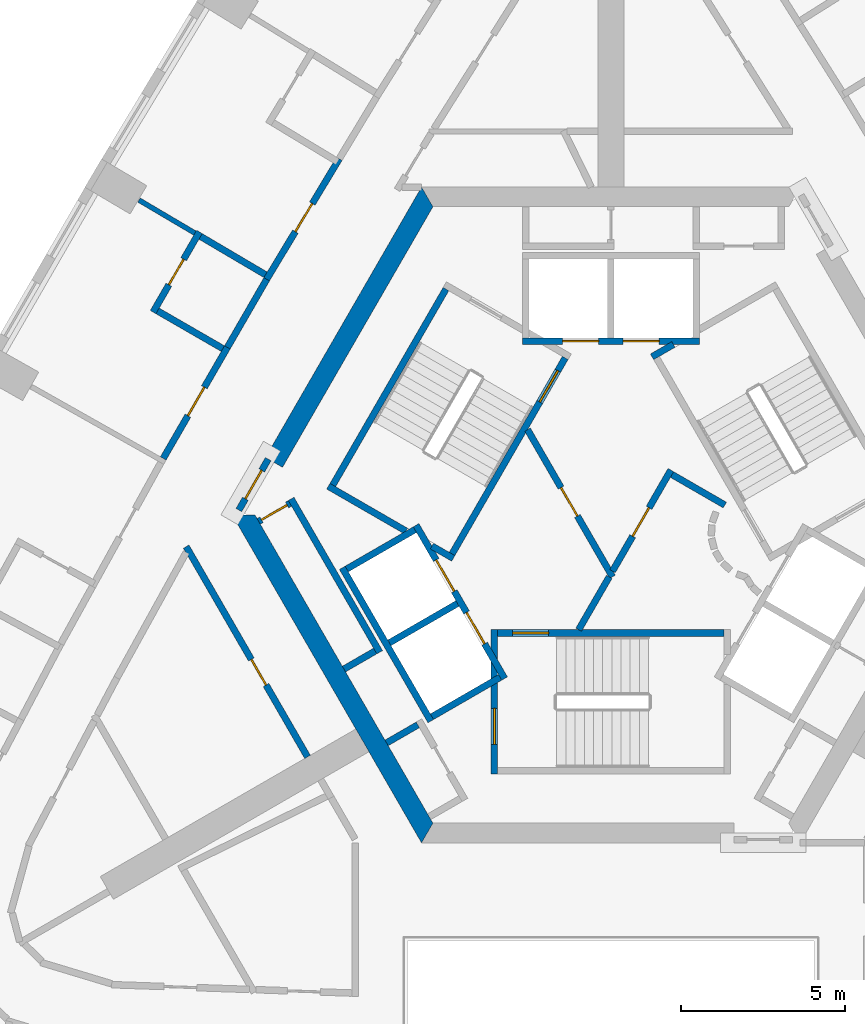
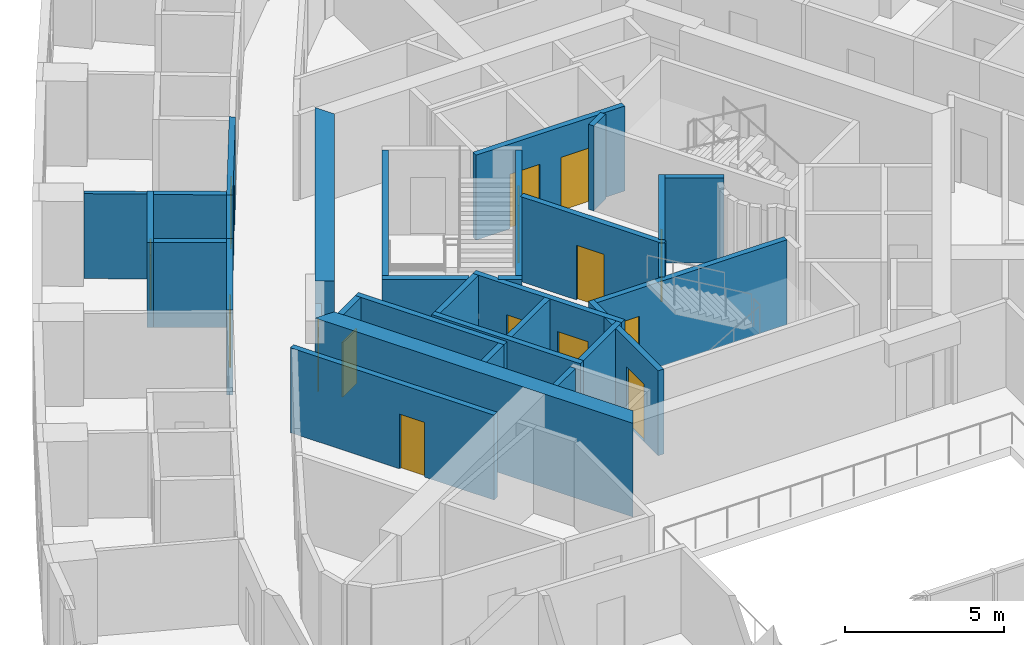
# One storey, part 5 of 14: 32 walls, 15 doors, 15 openings.
"""IFC4 building model written with IfcOpenShell, lengths in metres."""

from ifc_helpers import new_model, si_unit, direction, frame, frame_2d, origin, place, context, subcontext, project, spatial, polyline, rectangle, outline, extrude, material, layer, layer_set, type_object, element, fill, save


model = new_model("IFC4")

# Units and contexts
model_context = context("Model", 3, precision=1e-05, world=origin(), true_north=direction((0.0, 1.0)))
body_context = subcontext(model_context, "Body", "Model", "MODEL_VIEW")
ifc_project = project(units=[si_unit("LENGTHUNIT", "METRE"), si_unit("AREAUNIT", "SQUARE_METRE"), si_unit("VOLUMEUNIT", "CUBIC_METRE"), si_unit("PLANEANGLEUNIT", "RADIAN"), si_unit("MASSUNIT", "GRAM", prefix="KILO")], contexts=[model_context])

# Site, building, storey
site_placement = place(None, origin())
site = spatial("IfcSite", under=ifc_project, at=site_placement, CompositionType="ELEMENT")
building_placement = place(site_placement, origin())
building = spatial("IfcBuilding", under=site, at=building_placement, Name="Entoto Arch Interchange Tower", CompositionType="ELEMENT")
storey_placement = place(building_placement, frame((0.0, 0.0, 252.199951171875)))
storey = spatial("IfcBuildingStorey", under=building, at=storey_placement, Name="L57", CompositionType="ELEMENT", Elevation=252.199951171875)

# Wall, opening, door
ifc_material_1 = material(Name="Reinforced concrete C40/50", Category="concrete")
ifc_layer_1 = layer(ifc_material_1, 0.199951171875)
ifc_layer_set_1 = layer_set([ifc_layer_1], Name="Reinforced concrete C40/50")
wall_type_1 = type_object("IfcWallType", Name="CORE GAP INFILL WALL", PredefinedType="PARTITIONING", material=ifc_layer_set_1)
wall_1_placement = place(storey_placement, frame((-10.448974609375, 4.202880859375, 0.0), z_axis=(0.0, 0.0, 1.0), x_axis=(-0.499914839587, -0.866074565589, 0.0)))
wall_1 = element("IfcWall", 1, at=wall_1_placement, inside=storey, type_object=wall_type_1, Name="wall:L57:gap3", PredefinedType="PARTITIONING", context=body_context, shape_type="SweptSolid", body=[
    extrude(rectangle(XDim=1.794189453125, YDim=0.199951171875, at=frame_2d((0.89697265625, 0.0))), origin(), (0.0, 0.0, 1.0), 2.400146484375),
])
opening_1_placement = place(wall_1_placement, frame((0.39697265625, 0.0, 0.0)))
opening_1 = element("IfcOpeningElement", 2, at=opening_1_placement, cuts=wall_1, Name="Opening L57-D93", PredefinedType="OPENING", context=body_context, shape_type="SweptSolid", body=[
    extrude(rectangle(XDim=1.0, YDim=2.10009765625, at=frame_2d((0.5, 1.050048828125))), frame((0.0, 0.10986328125, 0.0), z_axis=(0.0, -1.0, 0.0), x_axis=(1.0, 0.0, 0.0)), (0.0, 0.0, 1.0), 0.219970703125),
])
ifc_material_2 = material(Name="Fire-rated Steel S235 door and frame", Category="steel")
door_type_1 = type_object("IfcDoorType", Name="DOOR FD-10 1000x2100", OperationType="SINGLE_SWING_LEFT", PredefinedType="DOOR", material=ifc_material_2)
door_1_placement = place(opening_1_placement, origin())
door_1 = element("IfcDoor", 3, at=door_1_placement, inside=storey, type_object=door_type_1, Name="door:L57:gap3", OperationType="SINGLE_SWING_LEFT", OverallHeight=2.10009765625, OverallWidth=1.0, PredefinedType="DOOR", context=body_context, shape_type="SweptSolid", body=[
    extrude(rectangle(XDim=1.0, YDim=2.10009765625, at=frame_2d((0.5, 1.050048828125))), frame((0.0, 0.02490234375, 0.0), z_axis=(0.0, -1.0, 0.0), x_axis=(1.0, 0.0, 0.0)), (0.0, 0.0, 1.0), 0.050048828125),
])
fill(opening_1, door_1)

# Walls
ifc_material_3 = material(Name="Concrete C40/50", Category="concrete")
ifc_layer_2 = layer(ifc_material_3, 0.60009765625)
ifc_layer_set_2 = layer_set([ifc_layer_2], Name="Concrete C40/50")
wall_type_2 = type_object("IfcWallType", Name="Core wall 600 C40/50", PredefinedType="SHEAR", material=ifc_layer_set_2)
wall_2_placement = place(storey_placement, frame((0.0, 0.0, -0.33984375)))
element("IfcWall", 4, at=wall_2_placement, inside=storey, type_object=wall_type_2, Name="Core wall NW L57", PredefinedType="SHEAR", context=body_context, shape_type="SweptSolid", body=[
    extrude(outline(polyline([(-10.534912109375, 4.2529296875), (-10.014892578125, 3.952880859375), (-5.427001953125, 11.89990234375), (-5.77392578125, 12.5), (-10.534912109375, 4.2529296875)])), origin(), (0.0, 0.0, 1.0), 3.599853515625),
])
wall_3_placement = place(storey_placement, frame((0.0, 0.0, -0.33984375)))
element("IfcWall", 5, at=wall_3_placement, inside=storey, type_object=wall_type_2, Name="Core wall SW L57", PredefinedType="SHEAR", context=body_context, shape_type="SweptSolid", body=[
    extrude(outline(polyline([(-11.547119140625, 2.5), (-5.77392578125, -7.5), (-5.427001953125, -6.89990234375), (-10.85400390625, 2.5), (-11.547119140625, 2.5)])), origin(), (0.0, 0.0, 1.0), 3.599853515625),
])

# Wall, openings, doors
ifc_layer_3 = layer(ifc_material_3, 0.199951171875)
ifc_layer_set_3 = layer_set([ifc_layer_3], Name="Concrete C40/50")
wall_type_3 = type_object("IfcWallType", Name="LIFT SHAFT WALL 200", PredefinedType="STANDARD", material=ifc_layer_set_3)
wall_4_placement = place(storey_placement, frame((2.699951171875, 7.800048828125, 0.0), z_axis=(0.0, 0.0, 1.0), x_axis=(-1.0, 0.0, 0.0)))
wall_4 = element("IfcWall", 6, at=wall_4_placement, inside=storey, type_object=wall_type_3, Name="Shaft wall N1 front", PredefinedType="STANDARD", context=body_context, shape_type="SweptSolid", body=[
    extrude(rectangle(XDim=5.39990234375, YDim=0.199951171875, at=frame_2d((2.699951171875, 0.0))), origin(), (0.0, 0.0, 1.0), 3.260009765625),
])
opening_2_placement = place(wall_4_placement, frame((1.22509765625, 0.0, 0.0)))
opening_2 = element("IfcOpeningElement", 7, at=opening_2_placement, cuts=wall_4, Name="Opening LD-HR1-L57", PredefinedType="OPENING", context=body_context, shape_type="SweptSolid", body=[
    extrude(rectangle(XDim=1.10009765625, YDim=2.10009765625, at=frame_2d((0.550048828125, 1.050048828125))), frame((0.0, 0.10986328125, 0.0), z_axis=(0.0, -1.0, 0.0), x_axis=(1.0, 0.0, 0.0)), (0.0, 0.0, 1.0), 0.219970703125),
])
opening_3_placement = place(wall_4_placement, frame((3.074951171875, 0.0, 0.0)))
opening_3 = element("IfcOpeningElement", 8, at=opening_3_placement, cuts=wall_4, Name="Opening LD-HR2-L57", PredefinedType="OPENING", context=body_context, shape_type="SweptSolid", body=[
    extrude(rectangle(XDim=1.10009765625, YDim=2.10009765625, at=frame_2d((0.550048828125, 1.050048828125))), frame((0.0, 0.10986328125, 0.0), z_axis=(0.0, -1.0, 0.0), x_axis=(1.0, 0.0, 0.0)), (0.0, 0.0, 1.0), 0.219970703125),
])
ifc_material_4 = material(Name="Stainless steel 1.4301 panels", Category="steel")
door_type_2 = type_object("IfcDoorType", Name="LIFT LANDING DOOR LD1 1100x2100", OperationType="SLIDING_TO_LEFT", PredefinedType="DOOR", material=ifc_material_4)
door_2_placement = place(opening_2_placement, origin())
door_2 = element("IfcDoor", 9, at=door_2_placement, inside=storey, type_object=door_type_2, Name="Lift landing door HR1 L57", OperationType="SLIDING_TO_LEFT", OverallHeight=2.10009765625, OverallWidth=1.10009765625, PredefinedType="DOOR", context=body_context, shape_type="SweptSolid", body=[
    extrude(rectangle(XDim=1.10009765625, YDim=2.10009765625, at=frame_2d((0.550048828125, 1.050048828125))), frame((0.0, 0.02490234375, 0.0), z_axis=(0.0, -1.0, 0.0), x_axis=(1.0, 0.0, 0.0)), (0.0, 0.0, 1.0), 0.050048828125),
])
fill(opening_2, door_2)
door_3_placement = place(opening_3_placement, origin())
door_3 = element("IfcDoor", 10, at=door_3_placement, inside=storey, type_object=door_type_2, Name="Lift landing door HR2 L57", OperationType="SLIDING_TO_LEFT", OverallHeight=2.10009765625, OverallWidth=1.10009765625, PredefinedType="DOOR", context=body_context, shape_type="SweptSolid", body=[
    extrude(rectangle(XDim=1.10009765625, YDim=2.10009765625, at=frame_2d((0.550048828125, 1.050048828125))), frame((0.0, 0.02490234375, 0.0), z_axis=(0.0, -1.0, 0.0), x_axis=(1.0, 0.0, 0.0)), (0.0, 0.0, 1.0), 0.050048828125),
])
fill(opening_3, door_3)

wall_5_placement = place(storey_placement, frame((-5.93994140625, 2.18798828125, 0.0), z_axis=(0.0, 0.0, 1.0), x_axis=(0.500034260056, -0.866005622828, 0.0)))
wall_5 = element("IfcWall", 11, at=wall_5_placement, inside=storey, type_object=wall_type_3, Name="Shaft wall SW1 front", PredefinedType="STANDARD", context=body_context, shape_type="SweptSolid", body=[
    extrude(rectangle(XDim=5.3994140625, YDim=0.199951171875, at=frame_2d((2.69970703125, 0.0))), origin(), (0.0, 0.0, 1.0), 3.260009765625),
])
opening_4_placement = place(wall_5_placement, frame((3.074951171875, 0.0, 0.0)))
opening_4 = element("IfcOpeningElement", 12, at=opening_4_placement, cuts=wall_5, Name="Opening LD-HR4-L57", PredefinedType="OPENING", context=body_context, shape_type="SweptSolid", body=[
    extrude(rectangle(XDim=1.10009765625, YDim=2.10009765625, at=frame_2d((0.550048828125, 1.050048828125))), frame((0.0, 0.10986328125, 0.0), z_axis=(0.0, -1.0, 0.0), x_axis=(1.0, 0.0, 0.0)), (0.0, 0.0, 1.0), 0.219970703125),
])
opening_5_placement = place(wall_5_placement, frame((1.22509765625, 0.0, 0.0)))
opening_5 = element("IfcOpeningElement", 13, at=opening_5_placement, cuts=wall_5, Name="Opening LD-FF2-L57", PredefinedType="OPENING", context=body_context, shape_type="SweptSolid", body=[
    extrude(rectangle(XDim=1.10009765625, YDim=2.10009765625, at=frame_2d((0.550048828125, 1.050048828125))), frame((0.0, 0.10986328125, 0.0), z_axis=(0.0, -1.0, 0.0), x_axis=(1.0, 0.0, 0.0)), (0.0, 0.0, 1.0), 0.219970703125),
])
door_4_placement = place(opening_4_placement, origin())
door_4 = element("IfcDoor", 14, at=door_4_placement, inside=storey, type_object=door_type_2, Name="Lift landing door HR4 L57", OperationType="SLIDING_TO_LEFT", OverallHeight=2.10009765625, OverallWidth=1.10009765625, PredefinedType="DOOR", context=body_context, shape_type="SweptSolid", body=[
    extrude(rectangle(XDim=1.10009765625, YDim=2.10009765625, at=frame_2d((0.550048828125, 1.050048828125))), frame((0.0, 0.02490234375, 0.0), z_axis=(0.0, -1.0, 0.0), x_axis=(1.0, 0.0, 0.0)), (0.0, 0.0, 1.0), 0.050048828125),
])
fill(opening_4, door_4)
door_5_placement = place(opening_5_placement, origin())
door_5 = element("IfcDoor", 15, at=door_5_placement, inside=storey, type_object=door_type_2, Name="Lift landing door FF2 L57", OperationType="SLIDING_TO_LEFT", OverallHeight=2.10009765625, OverallWidth=1.10009765625, PredefinedType="DOOR", context=body_context, shape_type="SweptSolid", body=[
    extrude(rectangle(XDim=1.10009765625, YDim=2.10009765625, at=frame_2d((0.550048828125, 1.050048828125))), frame((0.0, 0.02490234375, 0.0), z_axis=(0.0, -1.0, 0.0), x_axis=(1.0, 0.0, 0.0)), (0.0, 0.0, 1.0), 0.050048828125),
])
fill(opening_5, door_5)

# Walls
wall_6_placement = place(storey_placement, frame((-8.19189453125, 0.887939453125, 0.0), z_axis=(0.0, 0.0, 1.0), x_axis=(0.500034260056, -0.866005622828, 0.0)))
element("IfcWall", 16, at=wall_6_placement, inside=storey, type_object=wall_type_3, Name="Shaft wall SW1 back", PredefinedType="STANDARD", context=body_context, shape_type="SweptSolid", body=[
    extrude(rectangle(XDim=5.3994140625, YDim=0.199951171875, at=frame_2d((2.69970703125, 0.0))), origin(), (0.0, 0.0, 1.0), 3.260009765625),
])
for number, where, z_axis, x_axis, name in (
    (17, (-5.97705078125, 2.052001953125, 0.0), (0.0, 0.0, 1.0), (-0.865973769406, -0.500089422704, 0.0), "Shaft wall SW1 cross 1"),
    (18, (-4.677001953125, -0.199951171875, 0.0), (0.0, 0.0, 1.0), (-0.865973769406, -0.500089422704, 0.0), "Shaft wall SW1 cross 2"),
):
    element("IfcWall", number, at=place(storey_placement, frame(where, z_axis=z_axis, x_axis=x_axis)), inside=storey, type_object=wall_type_3, Name=name, PredefinedType="STANDARD", context=body_context, shape_type="SweptSolid", body=[
        extrude(rectangle(XDim=2.3994140625, YDim=0.199951171875, at=frame_2d((1.19970703125, 0.0))), origin(), (0.0, 0.0, 1.0), 3.260009765625),
    ])
wall_7_placement = place(storey_placement, frame((-3.376953125, -2.451904296875, 0.0), z_axis=(0.0, 0.0, 1.0), x_axis=(-0.865955154139, -0.50012165622, 0.0)))
element("IfcWall", 19, at=wall_7_placement, inside=storey, type_object=wall_type_3, Name="Shaft wall SW1 cross 3", PredefinedType="STANDARD", context=body_context, shape_type="SweptSolid", body=[
    extrude(rectangle(XDim=2.39990234375, YDim=0.199951171875, at=frame_2d((1.199951171875, 0.0))), origin(), (0.0, 0.0, 1.0), 3.260009765625),
])
ifc_material_5 = material(Name="Gypsum board partition on steel studs", Category="steel")
ifc_layer_4 = layer(ifc_material_5, 0.14990234375)
ifc_layer_set_4 = layer_set([ifc_layer_4], Name="Gypsum board partition on steel studs")
wall_type_4 = type_object("IfcWallType", Name="PARTITION 150", PredefinedType="PARTITIONING", material=ifc_layer_set_4)
wall_8_placement = place(storey_placement, frame((-12.68505859375, 11.095947265625, 0.0), z_axis=(0.0, 0.0, 1.0), x_axis=(-0.861157054724, 0.508338988371, 0.0)))
element("IfcWall", 20, at=wall_8_placement, inside=storey, type_object=wall_type_4, Name="wall:L57:p163", PredefinedType="PARTITIONING", context=body_context, shape_type="SweptSolid", body=[
    extrude(rectangle(XDim=1.981201171875, YDim=0.14990234375, at=frame_2d((0.99072265625, 0.0))), origin(), (0.0, 0.0, 1.0), 3.260009765625),
])

# Wall, opening, door
ifc_layer_5 = layer(ifc_material_5, 0.199951171875)
ifc_layer_set_5 = layer_set([ifc_layer_5], Name="Gypsum board partition on steel studs")
wall_type_5 = type_object("IfcWallType", Name="PARTITION 200", PredefinedType="PARTITIONING", material=ifc_layer_set_5)
wall_9_placement = place(storey_placement, frame((-10.498046875, 9.68896484375, 0.0), z_axis=(0.0, 0.0, 1.0), x_axis=(0.516353342298, 0.856375633643, 0.0)))
wall_9 = element("IfcWall", 21, at=wall_9_placement, inside=storey, type_object=wall_type_5, Name="wall:L57:p058", PredefinedType="PARTITIONING", context=body_context, shape_type="SweptSolid", body=[
    extrude(rectangle(XDim=4.2880859375, YDim=0.199951171875, at=frame_2d((2.14404296875, 0.0))), origin(), (0.0, 0.0, 1.0), 3.260009765625),
])
opening_6_placement = place(wall_9_placement, frame((1.694091796875, 0.0, 0.0)))
opening_6 = element("IfcOpeningElement", 22, at=opening_6_placement, cuts=wall_9, Name="Opening L57-D21", PredefinedType="OPENING", context=body_context, shape_type="SweptSolid", body=[
    extrude(rectangle(XDim=1.0, YDim=2.10009765625, at=frame_2d((0.5, 1.050048828125))), frame((0.0, 0.10986328125, 0.0), z_axis=(0.0, -1.0, 0.0), x_axis=(1.0, 0.0, 0.0)), (0.0, 0.0, 1.0), 0.219970703125),
])
door_6_placement = place(opening_6_placement, origin())
door_6 = element("IfcDoor", 23, at=door_6_placement, inside=storey, type_object=door_type_1, Name="door:L57:21", OperationType="SINGLE_SWING_RIGHT", OverallHeight=2.10009765625, OverallWidth=1.0, PredefinedType="DOOR", context=body_context, shape_type="SweptSolid", body=[
    extrude(rectangle(XDim=1.0, YDim=2.10009765625, at=frame_2d((0.5, 1.050048828125))), frame((0.0, 0.02490234375, 0.0), z_axis=(0.0, -1.0, 0.0), x_axis=(1.0, 0.0, 0.0)), (0.0, 0.0, 1.0), 0.050048828125),
])
fill(opening_6, door_6)

wall_10_placement = place(storey_placement, frame((-13.652099609375, 4.22412109375, 0.0), z_axis=(0.0, 0.0, 1.0), x_axis=(0.500221427001, 0.865897525097, 0.0)))
wall_10 = element("IfcWall", 24, at=wall_10_placement, inside=storey, type_object=wall_type_5, Name="wall:L57:p060", PredefinedType="PARTITIONING", context=body_context, shape_type="SweptSolid", body=[
    extrude(rectangle(XDim=3.910400390625, YDim=0.199951171875, at=frame_2d((1.955078125, 0.0))), origin(), (0.0, 0.0, 1.0), 3.260009765625),
])
opening_7_placement = place(wall_10_placement, frame((1.5048828125, 0.0, 0.0)))
opening_7 = element("IfcOpeningElement", 25, at=opening_7_placement, cuts=wall_10, Name="Opening L57-D23", PredefinedType="OPENING", context=body_context, shape_type="SweptSolid", body=[
    extrude(rectangle(XDim=1.0, YDim=2.10009765625, at=frame_2d((0.5, 1.050048828125))), frame((0.0, 0.10986328125, 0.0), z_axis=(0.0, -1.0, 0.0), x_axis=(1.0, 0.0, 0.0)), (0.0, 0.0, 1.0), 0.219970703125),
])
door_7_placement = place(opening_7_placement, origin())
door_7 = element("IfcDoor", 26, at=door_7_placement, inside=storey, type_object=door_type_1, Name="door:L57:23", OperationType="SINGLE_SWING_RIGHT", OverallHeight=2.10009765625, OverallWidth=1.0, PredefinedType="DOOR", context=body_context, shape_type="SweptSolid", body=[
    extrude(rectangle(XDim=1.0, YDim=2.10009765625, at=frame_2d((0.5, 1.050048828125))), frame((0.0, 0.02490234375, 0.0), z_axis=(0.0, -1.0, 0.0), x_axis=(1.0, 0.0, 0.0)), (0.0, 0.0, 1.0), 0.050048828125),
])
fill(opening_7, door_7)

# Wall
wall_11_placement = place(storey_placement, frame((-11.696044921875, 7.610107421875, 0.0), z_axis=(0.0, 0.0, 1.0), x_axis=(0.500089422704, 0.865973769406, 0.0)))
element("IfcWall", 27, at=wall_11_placement, inside=storey, type_object=wall_type_5, Name="wall:L57:p061", PredefinedType="PARTITIONING", context=body_context, shape_type="SweptSolid", body=[
    extrude(rectangle(XDim=2.3994140625, YDim=0.199951171875, at=frame_2d((1.19970703125, 0.0))), origin(), (0.0, 0.0, 1.0), 3.260009765625),
])

# Wall, opening, door
wall_12_placement = place(storey_placement, frame((-10.740966796875, 2.302978515625, 0.0), z_axis=(0.0, 0.0, 1.0), x_axis=(0.866063652425, 0.499933745558, 0.0)))
wall_12 = element("IfcWall", 28, at=wall_12_placement, inside=storey, type_object=wall_type_5, Name="wall:L57:p083", PredefinedType="PARTITIONING", context=body_context, shape_type="SweptSolid", body=[
    extrude(rectangle(XDim=1.100341796875, YDim=0.199951171875, at=frame_2d((0.55029296875, 0.0))), origin(), (0.0, 0.0, 1.0), 3.260009765625),
])
opening_8_placement = place(wall_12_placement, frame((0.10009765625, 0.0, 0.0)))
opening_8 = element("IfcOpeningElement", 29, at=opening_8_placement, cuts=wall_12, Name="Opening L57-D52", PredefinedType="OPENING", context=body_context, shape_type="SweptSolid", body=[
    extrude(rectangle(XDim=0.89990234375, YDim=2.10009765625, at=frame_2d((0.449951171875, 1.050048828125))), frame((0.0, 0.10986328125, 0.0), z_axis=(0.0, -1.0, 0.0), x_axis=(1.0, 0.0, 0.0)), (0.0, 0.0, 1.0), 0.219970703125),
])
ifc_material_6 = material(Name="Timber door leaf in Steel S235 frame", Category="steel")
door_type_3 = type_object("IfcDoorType", Name="DOOR DS-09 900x2100", OperationType="SINGLE_SWING_LEFT", PredefinedType="DOOR", material=ifc_material_6)
door_8_placement = place(opening_8_placement, origin())
door_8 = element("IfcDoor", 30, at=door_8_placement, inside=storey, type_object=door_type_3, Name="door:L57:52", OperationType="SINGLE_SWING_RIGHT", OverallHeight=2.10009765625, OverallWidth=0.89990234375, PredefinedType="DOOR", context=body_context, shape_type="SweptSolid", body=[
    extrude(rectangle(XDim=0.89990234375, YDim=2.10009765625, at=frame_2d((0.449951171875, 1.050048828125))), frame((0.0, 0.02490234375, 0.0), z_axis=(0.0, -1.0, 0.0), x_axis=(1.0, 0.0, 0.0)), (0.0, 0.0, 1.0), 0.050048828125),
])
fill(opening_8, door_8)

# Walls
wall_13_placement = place(storey_placement, frame((-9.7509765625, 2.989990234375, 0.0), z_axis=(0.0, 0.0, 1.0), x_axis=(0.499955951776, -0.866050833545, 0.0)))
element("IfcWall", 31, at=wall_13_placement, inside=storey, type_object=wall_type_5, Name="wall:L57:p084", PredefinedType="PARTITIONING", context=body_context, shape_type="SweptSolid", body=[
    extrude(rectangle(XDim=5.400390625, YDim=0.199951171875, at=frame_2d((2.7001953125, 0.0))), origin(), (0.0, 0.0, 1.0), 3.260009765625),
])
wall_14_placement = place(storey_placement, frame((-7.18798828125, -1.64990234375, 0.0), z_axis=(0.0, 0.0, 1.0), x_axis=(-0.865841558281, -0.500318294642, 0.0)))
element("IfcWall", 32, at=wall_14_placement, inside=storey, type_object=wall_type_5, Name="wall:L57:p085", PredefinedType="PARTITIONING", context=body_context, shape_type="SweptSolid", body=[
    extrude(rectangle(XDim=1.099365234375, YDim=0.199951171875, at=frame_2d((0.5498046875, 0.0))), origin(), (0.0, 0.0, 1.0), 3.260009765625),
])
wall_15_placement = place(storey_placement, frame((-6.841064453125, -4.451904296875, 0.0), z_axis=(0.0, 0.0, 1.0), x_axis=(0.86621513555, 0.499671230855, 0.0)))
element("IfcWall", 33, at=wall_15_placement, inside=storey, type_object=wall_type_5, Name="wall:L57:p086", PredefinedType="PARTITIONING", context=body_context, shape_type="SweptSolid", body=[
    extrude(rectangle(XDim=1.100341796875, YDim=0.199951171875, at=frame_2d((0.55029296875, 0.0))), origin(), (0.0, 0.0, 1.0), 3.260009765625),
])
wall_16_placement = place(storey_placement, frame((-0.98193359375, -1.0, 0.0), z_axis=(0.0, 0.0, 1.0), x_axis=(0.50024047865, 0.865886518847, 0.0)))
element("IfcWall", 34, at=wall_16_placement, inside=storey, type_object=wall_type_5, Name="wall:L57:p093", PredefinedType="PARTITIONING", context=body_context, shape_type="SweptSolid", body=[
    extrude(rectangle(XDim=1.86279296875, YDim=0.199951171875, at=frame_2d((0.931396484375, 0.0))), origin(), (0.0, 0.0, 1.0), 3.260009765625),
])

# Wall, opening, door
wall_17_placement = place(storey_placement, frame((0.050048828125, 0.787109375, 0.0), z_axis=(0.0, 0.0, 1.0), x_axis=(0.499954076797, 0.866051915934, 0.0)))
wall_17 = element("IfcWall", 35, at=wall_17_placement, inside=storey, type_object=wall_type_5, Name="wall:L57:p094", PredefinedType="PARTITIONING", context=body_context, shape_type="SweptSolid", body=[
    extrude(rectangle(XDim=3.558349609375, YDim=0.199951171875, at=frame_2d((1.779296875, 0.0))), origin(), (0.0, 0.0, 1.0), 3.260009765625),
])
opening_9_placement = place(wall_17_placement, frame((1.22900390625, 0.0, 0.0)))
opening_9 = element("IfcOpeningElement", 36, at=opening_9_placement, cuts=wall_17, Name="Opening L57-D46", PredefinedType="OPENING", context=body_context, shape_type="SweptSolid", body=[
    extrude(rectangle(XDim=1.0, YDim=2.10009765625, at=frame_2d((0.5, 1.050048828125))), frame((0.0, 0.10986328125, 0.0), z_axis=(0.0, -1.0, 0.0), x_axis=(1.0, 0.0, 0.0)), (0.0, 0.0, 1.0), 0.219970703125),
])
door_9_placement = place(opening_9_placement, origin())
door_9 = element("IfcDoor", 37, at=door_9_placement, inside=storey, type_object=door_type_1, Name="door:L57:46", OperationType="SINGLE_SWING_RIGHT", OverallHeight=2.10009765625, OverallWidth=1.0, PredefinedType="DOOR", context=body_context, shape_type="SweptSolid", body=[
    extrude(rectangle(XDim=1.0, YDim=2.10009765625, at=frame_2d((0.5, 1.050048828125))), frame((0.0, 0.02490234375, 0.0), z_axis=(0.0, -1.0, 0.0), x_axis=(1.0, 0.0, 0.0)), (0.0, 0.0, 1.0), 0.050048828125),
])
fill(opening_9, door_9)

# Wall
wall_18_placement = place(storey_placement, frame((1.865966796875, 3.73193359375, 0.0), z_axis=(0.0, 0.0, 1.0), x_axis=(0.866043361281, -0.499968895414, 0.0)))
element("IfcWall", 38, at=wall_18_placement, inside=storey, type_object=wall_type_5, Name="wall:L57:p095", PredefinedType="PARTITIONING", context=body_context, shape_type="SweptSolid", body=[
    extrude(rectangle(XDim=1.85791015625, YDim=0.199951171875, at=frame_2d((0.928955078125, 0.0))), origin(), (0.0, 0.0, 1.0), 3.260009765625),
])

# Wall, opening, door
wall_19_placement = place(storey_placement, frame((-2.5400390625, 5.10009765625, 0.0), z_axis=(0.0, 0.0, 1.0), x_axis=(0.499925051871, -0.866068670783, 0.0)))
wall_19 = element("IfcWall", 39, at=wall_19_placement, inside=storey, type_object=wall_type_5, Name="wall:L57:p104", PredefinedType="PARTITIONING", context=body_context, shape_type="SweptSolid", body=[
    extrude(rectangle(XDim=5.180908203125, YDim=0.199951171875, at=frame_2d((2.59033203125, 0.0))), origin(), (0.0, 0.0, 1.0), 3.260009765625),
])
opening_10_placement = place(wall_19_placement, frame((2.0400390625, 0.0, 0.0)))
opening_10 = element("IfcOpeningElement", 40, at=opening_10_placement, cuts=wall_19, Name="Opening L57-D47", PredefinedType="OPENING", context=body_context, shape_type="SweptSolid", body=[
    extrude(rectangle(XDim=1.0, YDim=2.10009765625, at=frame_2d((0.5, 1.050048828125))), frame((0.0, 0.10986328125, 0.0), z_axis=(0.0, -1.0, 0.0), x_axis=(1.0, 0.0, 0.0)), (0.0, 0.0, 1.0), 0.219970703125),
])
door_10_placement = place(opening_10_placement, origin())
door_10 = element("IfcDoor", 41, at=door_10_placement, inside=storey, type_object=door_type_1, Name="door:L57:47", OperationType="SINGLE_SWING_RIGHT", OverallHeight=2.10009765625, OverallWidth=1.0, PredefinedType="DOOR", context=body_context, shape_type="SweptSolid", body=[
    extrude(rectangle(XDim=1.0, YDim=2.10009765625, at=frame_2d((0.5, 1.050048828125))), frame((0.0, 0.02490234375, 0.0), z_axis=(0.0, -1.0, 0.0), x_axis=(1.0, 0.0, 0.0)), (0.0, 0.0, 1.0), 0.050048828125),
])
fill(opening_10, door_10)

# Wall
wall_20_placement = place(storey_placement, frame((-10.531982421875, 9.825927734375, 0.0), z_axis=(0.0, 0.0, 1.0), x_axis=(-0.861311086958, 0.508077958077, 0.0)))
element("IfcWall", 42, at=wall_20_placement, inside=storey, type_object=wall_type_5, Name="wall:L57:p164", PredefinedType="PARTITIONING", context=body_context, shape_type="SweptSolid", body=[
    extrude(rectangle(XDim=2.298828125, YDim=0.199951171875, at=frame_2d((1.1494140625, 0.0))), origin(), (0.0, 0.0, 1.0), 3.260009765625),
])

# Wall, opening, door
wall_21_placement = place(storey_placement, frame((-12.548095703125, 11.132080078125, 0.0), z_axis=(0.0, 0.0, 1.0), x_axis=(-0.500313606915, -0.865844267022, 0.0)))
wall_21 = element("IfcWall", 43, at=wall_21_placement, inside=storey, type_object=wall_type_5, Name="wall:L57:p165", PredefinedType="PARTITIONING", context=body_context, shape_type="SweptSolid", body=[
    extrude(rectangle(XDim=2.823974609375, YDim=0.199951171875, at=frame_2d((1.412109375, 0.0))), origin(), (0.0, 0.0, 1.0), 3.260009765625),
])
opening_11_placement = place(wall_21_placement, frame((0.9619140625, 0.0, 0.0)))
opening_11 = element("IfcOpeningElement", 44, at=opening_11_placement, cuts=wall_21, Name="Opening L57-D24", PredefinedType="OPENING", context=body_context, shape_type="SweptSolid", body=[
    extrude(rectangle(XDim=0.89990234375, YDim=2.10009765625, at=frame_2d((0.449951171875, 1.050048828125))), frame((0.0, 0.10986328125, 0.0), z_axis=(0.0, -1.0, 0.0), x_axis=(1.0, 0.0, 0.0)), (0.0, 0.0, 1.0), 0.219970703125),
])
door_11_placement = place(opening_11_placement, origin())
door_11 = element("IfcDoor", 45, at=door_11_placement, inside=storey, type_object=door_type_3, Name="door:L57:24", OperationType="SINGLE_SWING_LEFT", OverallHeight=2.10009765625, OverallWidth=0.89990234375, PredefinedType="DOOR", context=body_context, shape_type="SweptSolid", body=[
    extrude(rectangle(XDim=0.89990234375, YDim=2.10009765625, at=frame_2d((0.449951171875, 1.050048828125))), frame((0.0, 0.02490234375, 0.0), z_axis=(0.0, -1.0, 0.0), x_axis=(1.0, 0.0, 0.0)), (0.0, 0.0, 1.0), 0.050048828125),
])
fill(opening_11, door_11)

# Wall
wall_22_placement = place(storey_placement, frame((-13.824951171875, 8.722900390625, 0.0), z_axis=(0.0, 0.0, 1.0), x_axis=(0.866053019151, -0.499952165731, 0.0)))
element("IfcWall", 46, at=wall_22_placement, inside=storey, type_object=wall_type_5, Name="wall:L57:p166", PredefinedType="PARTITIONING", context=body_context, shape_type="SweptSolid", body=[
    extrude(rectangle(XDim=2.300048828125, YDim=0.199951171875, at=frame_2d((1.14990234375, 0.0))), origin(), (0.0, 0.0, 1.0), 3.260009765625),
])

# Wall, opening, door
wall_23_placement = place(storey_placement, frame((-9.25, -4.87890625, 0.0), z_axis=(0.0, 0.0, 1.0), x_axis=(-0.499944124422, 0.866057661161, 0.0)))
wall_23 = element("IfcWall", 47, at=wall_23_placement, inside=storey, type_object=wall_type_5, Name="wall:L57:p025", PredefinedType="PARTITIONING", context=body_context, shape_type="SweptSolid", body=[
    extrude(rectangle(XDim=7.404541015625, YDim=0.199951171875, at=frame_2d((3.7021484375, 0.0))), origin(), (0.0, 0.0, 1.0), 3.260009765625),
])
opening_12_placement = place(wall_23_placement, frame((2.532958984375, 0.0, 0.0)))
opening_12 = element("IfcOpeningElement", 48, at=opening_12_placement, cuts=wall_23, Name="Opening L57-D40", PredefinedType="OPENING", context=body_context, shape_type="SweptSolid", body=[
    extrude(rectangle(XDim=0.89990234375, YDim=2.10009765625, at=frame_2d((0.449951171875, 1.050048828125))), frame((0.0, 0.10986328125, 0.0), z_axis=(0.0, -1.0, 0.0), x_axis=(1.0, 0.0, 0.0)), (0.0, 0.0, 1.0), 0.219970703125),
])
door_12_placement = place(opening_12_placement, origin())
door_12 = element("IfcDoor", 49, at=door_12_placement, inside=storey, type_object=door_type_3, Name="door:L57:40", OperationType="SINGLE_SWING_RIGHT", OverallHeight=2.10009765625, OverallWidth=0.89990234375, PredefinedType="DOOR", context=body_context, shape_type="SweptSolid", body=[
    extrude(rectangle(XDim=0.89990234375, YDim=2.10009765625, at=frame_2d((0.449951171875, 1.050048828125))), frame((0.0, 0.02490234375, 0.0), z_axis=(0.0, -1.0, 0.0), x_axis=(1.0, 0.0, 0.0)), (0.0, 0.0, 1.0), 0.050048828125),
])
fill(opening_12, door_12)

ifc_layer_6 = layer(ifc_material_3, 0.199951171875)
ifc_layer_set_6 = layer_set([ifc_layer_6], Name="Concrete C40/50")
wall_type_6 = type_object("IfcWallType", Name="STAIR ENCLOSURE WALL 200", PredefinedType="STANDARD", material=ifc_layer_set_6)
wall_24_placement = place(storey_placement, frame((-3.550048828125, -1.0, 0.0), z_axis=(0.0, 0.0, 1.0), x_axis=(0.0, -1.0, 0.0)))
wall_24 = element("IfcWall", 50, at=wall_24_placement, inside=storey, type_object=wall_type_6, Name="Stair wall ST-S near", PredefinedType="STANDARD", context=body_context, shape_type="SweptSolid", body=[
    extrude(rectangle(XDim=4.39990234375, YDim=0.199951171875, at=frame_2d((2.199951171875, 0.0))), origin(), (0.0, 0.0, 1.0), 3.260009765625),
])
opening_13_placement = place(wall_24_placement, frame((2.39990234375, 0.0, 0.0)))
opening_13 = element("IfcOpeningElement", 51, at=opening_13_placement, cuts=wall_24, Name="Opening SD-ST-S-L57-E", PredefinedType="OPENING", context=body_context, shape_type="SweptSolid", body=[
    extrude(rectangle(XDim=1.10009765625, YDim=2.199951171875, at=frame_2d((0.550048828125, 1.10009765625))), frame((0.0, 0.10986328125, 0.0), z_axis=(0.0, -1.0, 0.0), x_axis=(1.0, 0.0, 0.0)), (0.0, 0.0, 1.0), 0.219970703125),
])
ifc_material_7 = material(Name="Steel S235", Category="steel")
door_type_4 = type_object("IfcDoorType", Name="STAIR DOOR SD1 1100x2200", OperationType="SINGLE_SWING_LEFT", PredefinedType="DOOR", material=ifc_material_7)
door_13_placement = place(opening_13_placement, origin())
door_13 = element("IfcDoor", 52, at=door_13_placement, inside=storey, type_object=door_type_4, Name="Stair door ST-S L57 end", OperationType="SINGLE_SWING_LEFT", OverallHeight=2.199951171875, OverallWidth=1.10009765625, PredefinedType="DOOR", context=body_context, shape_type="SweptSolid", body=[
    extrude(rectangle(XDim=1.10009765625, YDim=2.199951171875, at=frame_2d((0.550048828125, 1.10009765625))), frame((0.0, 0.02490234375, 0.0), z_axis=(0.0, -1.0, 0.0), x_axis=(1.0, 0.0, 0.0)), (0.0, 0.0, 1.0), 0.050048828125),
])
fill(opening_13, door_13)

wall_25_placement = place(storey_placement, frame((-3.449951171875, -1.10009765625, 0.0), z_axis=(0.0, 0.0, 1.0), x_axis=(1.0, 0.0, 0.0)))
wall_25 = element("IfcWall", 53, at=wall_25_placement, inside=storey, type_object=wall_type_6, Name="Stair wall ST-S hall", PredefinedType="STANDARD", context=body_context, shape_type="SweptSolid", body=[
    extrude(rectangle(XDim=6.89990234375, YDim=0.199951171875, at=frame_2d((3.449951171875, 0.0))), origin(), (0.0, 0.0, 1.0), 3.260009765625),
])
opening_14_placement = place(wall_25_placement, frame((0.449951171875, 0.0, 0.0)))
opening_14 = element("IfcOpeningElement", 54, at=opening_14_placement, cuts=wall_25, Name="Opening SD-ST-S-L57", PredefinedType="OPENING", context=body_context, shape_type="SweptSolid", body=[
    extrude(rectangle(XDim=1.10009765625, YDim=2.199951171875, at=frame_2d((0.550048828125, 1.10009765625))), frame((0.0, 0.10986328125, 0.0), z_axis=(0.0, -1.0, 0.0), x_axis=(1.0, 0.0, 0.0)), (0.0, 0.0, 1.0), 0.219970703125),
])
door_14_placement = place(opening_14_placement, origin())
door_14 = element("IfcDoor", 55, at=door_14_placement, inside=storey, type_object=door_type_4, Name="Stair door ST-S L57", OperationType="SINGLE_SWING_LEFT", OverallHeight=2.199951171875, OverallWidth=1.10009765625, PredefinedType="DOOR", context=body_context, shape_type="SweptSolid", body=[
    extrude(rectangle(XDim=1.10009765625, YDim=2.199951171875, at=frame_2d((0.550048828125, 1.10009765625))), frame((0.0, 0.02490234375, 0.0), z_axis=(0.0, -1.0, 0.0), x_axis=(1.0, 0.0, 0.0)), (0.0, 0.0, 1.0), 0.050048828125),
])
fill(opening_14, door_14)

# Walls
wall_26_placement = place(storey_placement, frame((1.256103515625, 7.323974609375, 0.0), z_axis=(0.0, 0.0, 1.0), x_axis=(0.865915093549, 0.500191014278, 0.0)))
element("IfcWall", 56, at=wall_26_placement, inside=storey, type_object=wall_type_6, Name="Stair wall ST-NE far return", PredefinedType="STANDARD", context=body_context, shape_type="SweptSolid", body=[
    extrude(rectangle(XDim=0.751708984375, YDim=0.199951171875, at=frame_2d((0.3759765625, 0.0))), origin(), (0.0, 0.0, 1.0), 3.260009765625),
])
wall_27_placement = place(storey_placement, frame((-6.25, 2.010009765625, 0.0), z_axis=(0.0, 0.0, 1.0), x_axis=(-0.86611865017, 0.499838457731, 0.0)))
element("IfcWall", 57, at=wall_27_placement, inside=storey, type_object=wall_type_6, Name="Stair wall ST-NW far", PredefinedType="STANDARD", context=body_context, shape_type="SweptSolid", body=[
    extrude(rectangle(XDim=2.73291015625, YDim=0.199951171875, at=frame_2d((1.366455078125, 0.0))), origin(), (0.0, 0.0, 1.0), 3.260009765625),
])
wall_28_placement = place(storey_placement, frame((-4.805908203125, 1.176025390625, 0.0), z_axis=(0.0, 0.0, 1.0), x_axis=(-0.866558586415, 0.499075361355, 0.0)))
element("IfcWall", 58, at=wall_28_placement, inside=storey, type_object=wall_type_6, Name="Stair wall ST-NW far return", PredefinedType="STANDARD", context=body_context, shape_type="SweptSolid", body=[
    extrude(rectangle(XDim=0.75146484375, YDim=0.199951171875, at=frame_2d((0.375732421875, 0.0))), origin(), (0.0, 0.0, 1.0), 3.260009765625),
])

# Wall, opening, door
wall_29_placement = place(storey_placement, frame((-1.39306640625, 7.2880859375, 0.0), z_axis=(0.0, 0.0, 1.0), x_axis=(-0.499963383562, -0.866046543262, 0.0)))
wall_29 = element("IfcWall", 59, at=wall_29_placement, inside=storey, type_object=wall_type_6, Name="Stair wall ST-NW hall", PredefinedType="STANDARD", context=body_context, shape_type="SweptSolid", body=[
    extrude(rectangle(XDim=6.900390625, YDim=0.199951171875, at=frame_2d((3.4501953125, 0.0))), origin(), (0.0, 0.0, 1.0), 3.260009765625),
])
opening_15_placement = place(wall_29_placement, frame((0.449951171875, 0.0, 0.0)))
opening_15 = element("IfcOpeningElement", 60, at=opening_15_placement, cuts=wall_29, Name="Opening SD-ST-NW-L57", PredefinedType="OPENING", context=body_context, shape_type="SweptSolid", body=[
    extrude(rectangle(XDim=1.10009765625, YDim=2.199951171875, at=frame_2d((0.550048828125, 1.10009765625))), frame((0.0, 0.10986328125, 0.0), z_axis=(0.0, -1.0, 0.0), x_axis=(1.0, 0.0, 0.0)), (0.0, 0.0, 1.0), 0.219970703125),
])
door_15_placement = place(opening_15_placement, origin())
door_15 = element("IfcDoor", 61, at=door_15_placement, inside=storey, type_object=door_type_4, Name="Stair door ST-NW L57", OperationType="SINGLE_SWING_LEFT", OverallHeight=2.199951171875, OverallWidth=1.10009765625, PredefinedType="DOOR", context=body_context, shape_type="SweptSolid", body=[
    extrude(rectangle(XDim=1.10009765625, YDim=2.199951171875, at=frame_2d((0.550048828125, 1.10009765625))), frame((0.0, 0.02490234375, 0.0), z_axis=(0.0, -1.0, 0.0), x_axis=(1.0, 0.0, 0.0)), (0.0, 0.0, 1.0), 0.050048828125),
])
fill(opening_15, door_15)

# Wall
wall_30_placement = place(storey_placement, frame((-5.030029296875, 9.387939453125, 0.0), z_axis=(0.0, 0.0, 1.0), x_axis=(-0.499978703459, -0.866037698999, 0.0)))
element("IfcWall", 62, at=wall_30_placement, inside=storey, type_object=wall_type_6, Name="Stair wall ST-NW back", PredefinedType="STANDARD", context=body_context, shape_type="SweptSolid", body=[
    extrude(rectangle(XDim=6.900146484375, YDim=0.199951171875, at=frame_2d((3.4501953125, 0.0))), origin(), (0.0, 0.0, 1.0), 3.260009765625),
])

save(model, "model.ifc")
